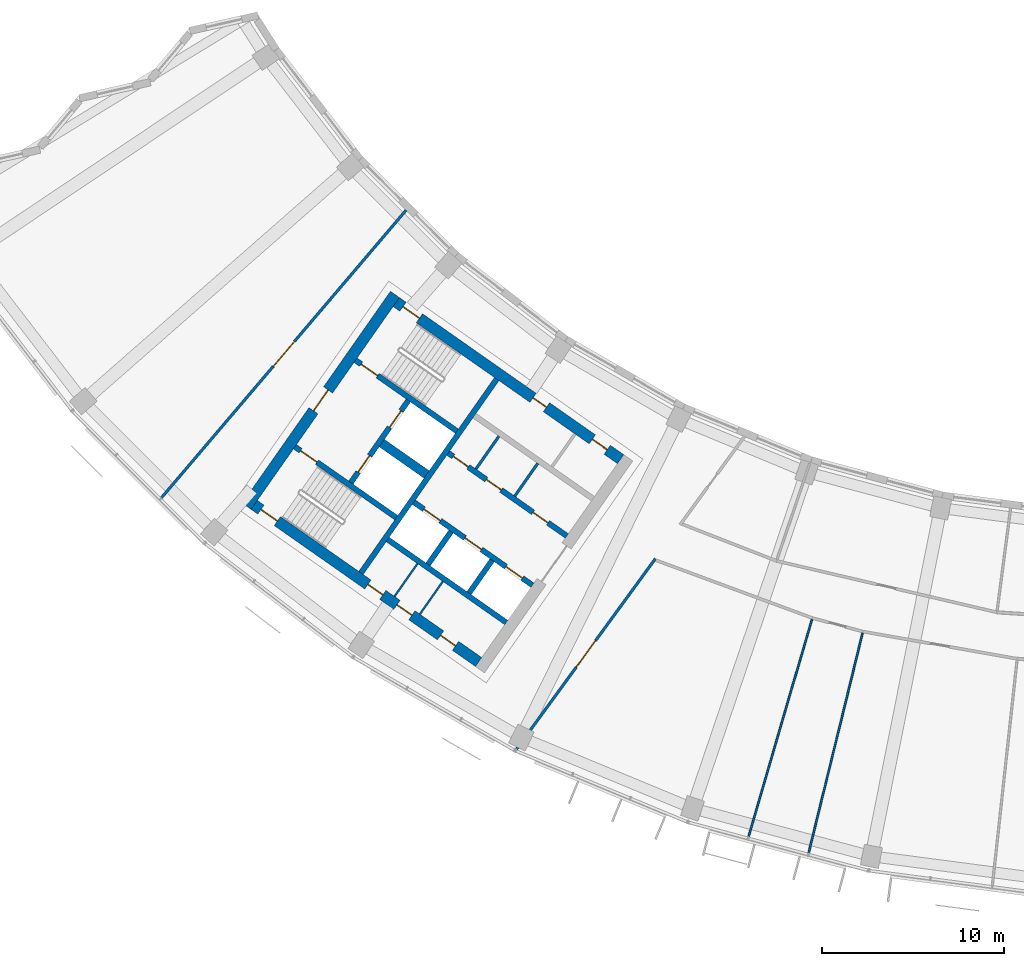
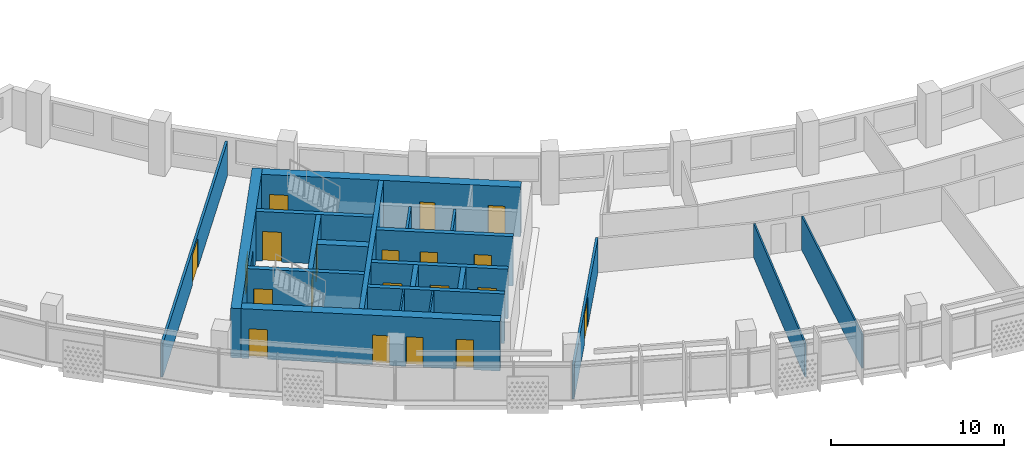
# One storey, part 3 of 27: 21 walls, 20 doors, 20 openings.
"""IFC4 building model written with IfcOpenShell, lengths in metres."""

from ifc_helpers import new_model, si_unit, direction, frame, frame_2d, origin, place, context, subcontext, project, spatial, rectangle, extrude, material, layer, layer_set, type_object, element, fill, save


model = new_model("IFC4")

# Units and contexts
model_context = context("Model", 3, precision=1e-05, world=origin(), true_north=direction((0.0, 1.0)))
body_context = subcontext(model_context, "Body", "Model", "MODEL_VIEW")
ifc_project = project(units=[si_unit("LENGTHUNIT", "METRE"), si_unit("AREAUNIT", "SQUARE_METRE"), si_unit("VOLUMEUNIT", "CUBIC_METRE"), si_unit("PLANEANGLEUNIT", "RADIAN"), si_unit("MASSUNIT", "GRAM", prefix="KILO")], contexts=[model_context])

# Site, building, storey
site_placement = place(None, origin())
site = spatial("IfcSite", under=ifc_project, at=site_placement, CompositionType="ELEMENT")
building_placement = place(site_placement, origin())
building = spatial("IfcBuilding", under=site, at=building_placement, Name="Qamariyya Broadcast Tower", CompositionType="ELEMENT")
storey_placement = place(building_placement, frame((0.0, 0.0, 237.89990234375)))
storey = spatial("IfcBuildingStorey", under=building, at=storey_placement, Name="L57", CompositionType="ELEMENT", Elevation=237.89990234375)

# Wall, opening, door
ifc_material_1 = material(Name="Concrete C60/75", Category="concrete")
ifc_layer_1 = layer(ifc_material_1, 0.60009765625)
ifc_layer_set_1 = layer_set([ifc_layer_1], Name="Core wall 600 mm Concrete C60/75")
wall_type_1 = type_object("IfcWallType", Name="Core wall 600 mm Concrete C60/75", PredefinedType="SHEAR", material=ifc_layer_set_1)
wall_1_placement = place(storey_placement, frame((-49.4833984375, -57.031494140625, 0.0), z_axis=(0.0, 0.0, 1.0), x_axis=(0.573560421458, 0.819163257805, 0.0)))
wall_1 = element("IfcWall", 1, at=wall_1_placement, inside=storey, type_object=wall_type_1, Name="k-W-L57-WH", PredefinedType="SHEAR", context=body_context, shape_type="SweptSolid", body=[
    extrude(rectangle(XDim=14.199951171875, YDim=0.60009765625, at=frame_2d((7.10009765625, 0.0))), origin(), (0.0, 0.0, 1.0), 3.5),
])
opening_1_placement = place(wall_1_placement, frame((6.39990234375, 0.0, 0.0)))
opening_1 = element("IfcOpeningElement", 2, at=opening_1_placement, cuts=wall_1, Name="Opening KD2-W1", PredefinedType="OPENING", context=body_context, shape_type="SweptSolid", body=[
    extrude(rectangle(XDim=1.39990234375, YDim=2.10009765625, at=frame_2d((0.699951171875, 1.050048828125))), frame((0.0, 0.31005859375, 0.0), z_axis=(0.0, -1.0, 0.0), x_axis=(1.0, 0.0, 0.0)), (0.0, 0.0, 1.0), 0.6201171875),
])
ifc_material_2 = material(Name="Steel fire-resisting door leaf", Category="steel")
door_type_1 = type_object("IfcDoorType", Name="Fire-fighting lobby door KD2", OperationType="DOUBLE_DOOR_SINGLE_SWING", PredefinedType="DOOR", material=ifc_material_2)
door_1_placement = place(opening_1_placement, origin())
door_1 = element("IfcDoor", 3, at=door_1_placement, inside=storey, type_object=door_type_1, Name="k-W-L57-WH-D15", OperationType="DOUBLE_DOOR_SINGLE_SWING", OverallHeight=2.10009765625, OverallWidth=1.39990234375, PredefinedType="DOOR", context=body_context, shape_type="SweptSolid", body=[
    extrude(rectangle(XDim=1.39990234375, YDim=2.10009765625, at=frame_2d((0.699951171875, 1.050048828125))), frame((0.0, 0.02490234375, 0.0), z_axis=(0.0, -1.0, 0.0), x_axis=(1.0, 0.0, 0.0)), (0.0, 0.0, 1.0), 0.050048828125),
])
fill(opening_1, door_1)

# Wall, openings, doors
wall_2_placement = place(storey_placement, frame((-28.940673828125, -54.447021484375, 0.0), z_axis=(0.0, 0.0, 1.0), x_axis=(-0.819153391756, 0.573574511963, 0.0)))
wall_2 = element("IfcWall", 4, at=wall_2_placement, inside=storey, type_object=wall_type_1, Name="k-W-L57-WI", PredefinedType="SHEAR", context=body_context, shape_type="SweptSolid", body=[
    extrude(rectangle(XDim=15.04541015625, YDim=0.60009765625, at=frame_2d((7.522705078125, 0.0))), origin(), (0.0, 0.0, 1.0), 3.5),
])
opening_2_placement = place(wall_2_placement, frame((0.89990234375, 0.0, 0.0)))
opening_2 = element("IfcOpeningElement", 5, at=opening_2_placement, cuts=wall_2, Name="Opening KD7-W1", PredefinedType="OPENING", context=body_context, shape_type="SweptSolid", body=[
    extrude(rectangle(XDim=1.0, YDim=2.10009765625, at=frame_2d((0.5, 1.050048828125))), frame((0.0, 0.31005859375, 0.0), z_axis=(0.0, -1.0, 0.0), x_axis=(1.0, 0.0, 0.0)), (0.0, 0.0, 1.0), 0.6201171875),
])
opening_3_placement = place(wall_2_placement, frame((4.97509765625, 0.0, 0.0)))
opening_3 = element("IfcOpeningElement", 6, at=opening_3_placement, cuts=wall_2, Name="Opening KD5-W1", PredefinedType="OPENING", context=body_context, shape_type="SweptSolid", body=[
    extrude(rectangle(XDim=0.89990234375, YDim=2.10009765625, at=frame_2d((0.449951171875, 1.050048828125))), frame((0.0, 0.31005859375, 0.0), z_axis=(0.0, -1.0, 0.0), x_axis=(1.0, 0.0, 0.0)), (0.0, 0.0, 1.0), 0.6201171875),
])
opening_4_placement = place(wall_2_placement, frame((13.495361328125, 0.0, 0.0)))
opening_4 = element("IfcOpeningElement", 7, at=opening_4_placement, cuts=wall_2, Name="Opening KD1-W1", PredefinedType="OPENING", context=body_context, shape_type="SweptSolid", body=[
    extrude(rectangle(XDim=1.10009765625, YDim=2.10009765625, at=frame_2d((0.550048828125, 1.050048828125))), frame((0.0, 0.31005859375, 0.0), z_axis=(0.0, -1.0, 0.0), x_axis=(1.0, 0.0, 0.0)), (0.0, 0.0, 1.0), 0.6201171875),
])
door_type_2 = type_object("IfcDoorType", Name="Accessible toilet door KD7", OperationType="SINGLE_SWING_LEFT", PredefinedType="DOOR", material=ifc_material_2)
door_2_placement = place(opening_2_placement, origin())
door_2 = element("IfcDoor", 8, at=door_2_placement, inside=storey, type_object=door_type_2, Name="k-W-L57-WI-D8", OperationType="SINGLE_SWING_LEFT", OverallHeight=2.10009765625, OverallWidth=1.0, PredefinedType="DOOR", context=body_context, shape_type="SweptSolid", body=[
    extrude(rectangle(XDim=1.0, YDim=2.10009765625, at=frame_2d((0.5, 1.050048828125))), frame((0.0, 0.02490234375, 0.0), z_axis=(0.0, -1.0, 0.0), x_axis=(1.0, 0.0, 0.0)), (0.0, 0.0, 1.0), 0.050048828125),
])
fill(opening_2, door_2)
door_type_3 = type_object("IfcDoorType", Name="Stair door KD1", OperationType="SINGLE_SWING_LEFT", PredefinedType="DOOR", material=ifc_material_2)
door_3_placement = place(opening_4_placement, origin())
door_3 = element("IfcDoor", 9, at=door_3_placement, inside=storey, type_object=door_type_3, Name="k-W-L57-WI-D16", OperationType="SINGLE_SWING_RIGHT", OverallHeight=2.10009765625, OverallWidth=1.10009765625, PredefinedType="DOOR", context=body_context, shape_type="SweptSolid", body=[
    extrude(rectangle(XDim=1.10009765625, YDim=2.10009765625, at=frame_2d((0.550048828125, 1.050048828125))), frame((0.0, 0.02490234375, 0.0), z_axis=(0.0, -1.0, 0.0), x_axis=(1.0, 0.0, 0.0)), (0.0, 0.0, 1.0), 0.050048828125),
])
fill(opening_4, door_3)
door_type_4 = type_object("IfcDoorType", Name="Toilet door KD5", OperationType="SINGLE_SWING_LEFT", PredefinedType="DOOR", material=ifc_material_2)
door_4_placement = place(opening_3_placement, origin())
door_4 = element("IfcDoor", 10, at=door_4_placement, inside=storey, type_object=door_type_4, Name="k-W-L57-WI-D9", OperationType="SINGLE_SWING_RIGHT", OverallHeight=2.10009765625, OverallWidth=0.89990234375, PredefinedType="DOOR", context=body_context, shape_type="SweptSolid", body=[
    extrude(rectangle(XDim=0.89990234375, YDim=2.10009765625, at=frame_2d((0.449951171875, 1.050048828125))), frame((0.0, 0.02490234375, 0.0), z_axis=(0.0, -1.0, 0.0), x_axis=(1.0, 0.0, 0.0)), (0.0, 0.0, 1.0), 0.050048828125),
])
fill(opening_3, door_4)

wall_3_placement = place(storey_placement, frame((-36.7412109375, -65.58740234375, 0.0), z_axis=(0.0, 0.0, 1.0), x_axis=(-0.819153391756, 0.573574511963, 0.0)))
wall_3 = element("IfcWall", 11, at=wall_3_placement, inside=storey, type_object=wall_type_1, Name="k-W-L57-WO", PredefinedType="SHEAR", context=body_context, shape_type="SweptSolid", body=[
    extrude(rectangle(XDim=15.04541015625, YDim=0.60009765625, at=frame_2d((7.522705078125, 0.0))), origin(), (0.0, 0.0, 1.0), 3.5),
])
opening_5_placement = place(wall_3_placement, frame((1.550048828125, 0.0, 0.0)))
opening_5 = element("IfcOpeningElement", 12, at=opening_5_placement, cuts=wall_3, Name="Opening KD4-W2", PredefinedType="OPENING", context=body_context, shape_type="SweptSolid", body=[
    extrude(rectangle(XDim=1.0, YDim=2.10009765625, at=frame_2d((0.5, 1.050048828125))), frame((0.0, 0.31005859375, 0.0), z_axis=(0.0, -1.0, 0.0), x_axis=(1.0, 0.0, 0.0)), (0.0, 0.0, 1.0), 0.6201171875),
])
opening_6_placement = place(wall_3_placement, frame((4.47509765625, 0.0, 0.0)))
opening_6 = element("IfcOpeningElement", 13, at=opening_6_placement, cuts=wall_3, Name="Opening KD4-W3", PredefinedType="OPENING", context=body_context, shape_type="SweptSolid", body=[
    extrude(rectangle(XDim=1.0, YDim=2.10009765625, at=frame_2d((0.5, 1.050048828125))), frame((0.0, 0.31005859375, 0.0), z_axis=(0.0, -1.0, 0.0), x_axis=(1.0, 0.0, 0.0)), (0.0, 0.0, 1.0), 0.6201171875),
])
opening_7_placement = place(wall_3_placement, frame((6.425048828125, 0.0, 0.0)))
opening_7 = element("IfcOpeningElement", 14, at=opening_7_placement, cuts=wall_3, Name="Opening KD4-W4", PredefinedType="OPENING", context=body_context, shape_type="SweptSolid", body=[
    extrude(rectangle(XDim=1.0, YDim=2.10009765625, at=frame_2d((0.5, 1.050048828125))), frame((0.0, 0.31005859375, 0.0), z_axis=(0.0, -1.0, 0.0), x_axis=(1.0, 0.0, 0.0)), (0.0, 0.0, 1.0), 0.6201171875),
])
opening_8_placement = place(wall_3_placement, frame((13.495361328125, 0.0, 0.0)))
opening_8 = element("IfcOpeningElement", 15, at=opening_8_placement, cuts=wall_3, Name="Opening KD1-W3", PredefinedType="OPENING", context=body_context, shape_type="SweptSolid", body=[
    extrude(rectangle(XDim=1.10009765625, YDim=2.10009765625, at=frame_2d((0.550048828125, 1.050048828125))), frame((0.0, 0.31005859375, 0.0), z_axis=(0.0, -1.0, 0.0), x_axis=(1.0, 0.0, 0.0)), (0.0, 0.0, 1.0), 0.6201171875),
])
door_type_5 = type_object("IfcDoorType", Name="Riser and plant door KD4", OperationType="SINGLE_SWING_LEFT", PredefinedType="DOOR", material=ifc_material_2)
door_5_placement = place(opening_5_placement, origin())
door_5 = element("IfcDoor", 16, at=door_5_placement, inside=storey, type_object=door_type_5, Name="k-W-L57-WO-D10", OperationType="SINGLE_SWING_LEFT", OverallHeight=2.10009765625, OverallWidth=1.0, PredefinedType="DOOR", context=body_context, shape_type="SweptSolid", body=[
    extrude(rectangle(XDim=1.0, YDim=2.10009765625, at=frame_2d((0.5, 1.050048828125))), frame((0.0, 0.02490234375, 0.0), z_axis=(0.0, -1.0, 0.0), x_axis=(1.0, 0.0, 0.0)), (0.0, 0.0, 1.0), 0.050048828125),
])
fill(opening_5, door_5)
door_6_placement = place(opening_6_placement, origin())
door_6 = element("IfcDoor", 17, at=door_6_placement, inside=storey, type_object=door_type_5, Name="k-W-L57-WO-D11", OperationType="SINGLE_SWING_RIGHT", OverallHeight=2.10009765625, OverallWidth=1.0, PredefinedType="DOOR", context=body_context, shape_type="SweptSolid", body=[
    extrude(rectangle(XDim=1.0, YDim=2.10009765625, at=frame_2d((0.5, 1.050048828125))), frame((0.0, 0.02490234375, 0.0), z_axis=(0.0, -1.0, 0.0), x_axis=(1.0, 0.0, 0.0)), (0.0, 0.0, 1.0), 0.050048828125),
])
fill(opening_6, door_6)
door_7_placement = place(opening_7_placement, origin())
door_7 = element("IfcDoor", 18, at=door_7_placement, inside=storey, type_object=door_type_5, Name="k-W-L57-WO-D12", OperationType="SINGLE_SWING_LEFT", OverallHeight=2.10009765625, OverallWidth=1.0, PredefinedType="DOOR", context=body_context, shape_type="SweptSolid", body=[
    extrude(rectangle(XDim=1.0, YDim=2.10009765625, at=frame_2d((0.5, 1.050048828125))), frame((0.0, 0.02490234375, 0.0), z_axis=(0.0, -1.0, 0.0), x_axis=(1.0, 0.0, 0.0)), (0.0, 0.0, 1.0), 0.050048828125),
])
fill(opening_7, door_7)
door_8_placement = place(opening_8_placement, origin())
door_8 = element("IfcDoor", 19, at=door_8_placement, inside=storey, type_object=door_type_3, Name="k-W-L57-WO-D18", OperationType="SINGLE_SWING_LEFT", OverallHeight=2.10009765625, OverallWidth=1.10009765625, PredefinedType="DOOR", context=body_context, shape_type="SweptSolid", body=[
    extrude(rectangle(XDim=1.10009765625, YDim=2.10009765625, at=frame_2d((0.550048828125, 1.050048828125))), frame((0.0, 0.02490234375, 0.0), z_axis=(0.0, -1.0, 0.0), x_axis=(1.0, 0.0, 0.0)), (0.0, 0.0, 1.0), 0.050048828125),
])
fill(opening_8, door_8)

# Wall, opening, door
ifc_material_3 = material(Name="Gypsum board partition")
ifc_layer_2 = layer(ifc_material_3, 0.14990234375)
ifc_layer_set_2 = layer_set([ifc_layer_2], Name="Corridor partition 150 EI 60")
wall_type_2 = type_object("IfcWallType", Name="Corridor partition 150 EI 60", PredefinedType="PARTITIONING", material=ifc_layer_set_2)
wall_4_placement = place(storey_placement, frame((-54.15283203125, -56.554931640625, 0.0), z_axis=(0.0, 0.0, 1.0), x_axis=(0.647962636986, 0.761672121762, 0.0)))
wall_4 = element("IfcWall", 20, at=wall_4_placement, inside=storey, type_object=wall_type_2, Name="Partition L57-001", PredefinedType="PARTITIONING", context=body_context, shape_type="SweptSolid", body=[
    extrude(rectangle(XDim=20.723388671875, YDim=0.14990234375, at=frame_2d((10.36181640625, 0.0))), origin(), (0.0, 0.0, 1.0), 2.400146484375),
])
opening_9_placement = place(wall_4_placement, frame((9.461669921875, 0.0, 0.0)))
opening_9 = element("IfcOpeningElement", 21, at=opening_9_placement, cuts=wall_4, Name="Opening L57-D13", PredefinedType="OPENING", context=body_context, shape_type="SweptSolid", body=[
    extrude(rectangle(XDim=1.800048828125, YDim=2.10009765625, at=frame_2d((0.89990234375, 1.050048828125))), frame((0.0, 0.0849609375, 0.0), z_axis=(0.0, -1.0, 0.0), x_axis=(1.0, 0.0, 0.0)), (0.0, 0.0, 1.0), 0.169921875),
])
ifc_material_4 = material(Name="Timber fire door leaf", Category="wood")
door_type_6 = type_object("IfcDoorType", Name="Double fire door 1800 x 2100 FD60", OperationType="NOTDEFINED", PredefinedType="DOOR", material=ifc_material_4)
door_9_placement = place(opening_9_placement, origin())
door_9 = element("IfcDoor", 22, at=door_9_placement, inside=storey, type_object=door_type_6, Name="Door L57-D13", OperationType="DOUBLE_DOOR_SINGLE_SWING", OverallHeight=2.10009765625, OverallWidth=1.800048828125, PredefinedType="DOOR", context=body_context, shape_type="SweptSolid", body=[
    extrude(rectangle(XDim=1.800048828125, YDim=2.10009765625, at=frame_2d((0.89990234375, 1.050048828125))), frame((0.0, 0.02490234375, 0.0), z_axis=(0.0, -1.0, 0.0), x_axis=(1.0, 0.0, 0.0)), (0.0, 0.0, 1.0), 0.050048828125),
])
fill(opening_9, door_9)

wall_5_placement = place(storey_placement, frame((-27.033447265625, -59.90966796875, 0.0), z_axis=(0.0, 0.0, 1.0), x_axis=(-0.589273648147, -0.807933516819, 0.0)))
wall_5 = element("IfcWall", 23, at=wall_5_placement, inside=storey, type_object=wall_type_2, Name="Partition L57-002", PredefinedType="PARTITIONING", context=body_context, shape_type="SweptSolid", body=[
    extrude(rectangle(XDim=12.956298828125, YDim=0.14990234375, at=frame_2d((6.47802734375, 0.0))), origin(), (0.0, 0.0, 1.0), 2.400146484375),
])
opening_10_placement = place(wall_5_placement, frame((5.578125, 0.0, 0.0)))
opening_10 = element("IfcOpeningElement", 24, at=opening_10_placement, cuts=wall_5, Name="Opening L57-D01", PredefinedType="OPENING", context=body_context, shape_type="SweptSolid", body=[
    extrude(rectangle(XDim=1.800048828125, YDim=2.10009765625, at=frame_2d((0.89990234375, 1.050048828125))), frame((0.0, 0.0849609375, 0.0), z_axis=(0.0, -1.0, 0.0), x_axis=(1.0, 0.0, 0.0)), (0.0, 0.0, 1.0), 0.169921875),
])
door_10_placement = place(opening_10_placement, origin())
door_10 = element("IfcDoor", 25, at=door_10_placement, inside=storey, type_object=door_type_6, Name="Door L57-D01", OperationType="DOUBLE_DOOR_SINGLE_SWING", OverallHeight=2.10009765625, OverallWidth=1.800048828125, PredefinedType="DOOR", context=body_context, shape_type="SweptSolid", body=[
    extrude(rectangle(XDim=1.800048828125, YDim=2.10009765625, at=frame_2d((0.89990234375, 1.050048828125))), frame((0.0, 0.02490234375, 0.0), z_axis=(0.0, -1.0, 0.0), x_axis=(1.0, 0.0, 0.0)), (0.0, 0.0, 1.0), 0.050048828125),
])
fill(opening_10, door_10)

# Walls
ifc_layer_3 = layer(ifc_material_1, 0.5)
ifc_layer_set_3 = layer_set([ifc_layer_3], Name="Fire-fighting lobby divider wall 500 mm Concrete C60/75")
wall_type_3 = type_object("IfcWallType", Name="Fire-fighting lobby divider wall 500 mm Concrete C60/75", PredefinedType="SOLIDWALL", material=ifc_layer_set_3)
wall_6_placement = place(storey_placement, frame((-39.59912109375, -55.28515625, 0.0), z_axis=(0.0, 0.0, 1.0), x_axis=(-0.819136323161, 0.573598887793, 0.0)))
element("IfcWall", 26, at=wall_6_placement, inside=storey, type_object=wall_type_3, Name="k-W-L57-FD", PredefinedType="SOLIDWALL", context=body_context, shape_type="SweptSolid", body=[
    extrude(rectangle(XDim=2.999755859375, YDim=0.5, at=frame_2d((1.5, 0.0))), origin(), (0.0, 0.0, 1.0), 3.5),
])
ifc_material_5 = material(Name="Gypsum board partition on steel studs", Category="steel")
ifc_layer_4 = layer(ifc_material_5, 0.14990234375)
ifc_layer_set_4 = layer_set([ifc_layer_4], Name="Gypsum board partition 150 mm")
wall_type_4 = type_object("IfcWallType", Name="Gypsum board partition 150 mm", PredefinedType="PARTITIONING", material=ifc_layer_set_4)
for number, where, z_axis, x_axis, name in (
    (27, (-34.757568359375, -56.477783203125, 0.0), (0.0, 0.0, 1.0), (0.573633636671, 0.819111989218, 0.0), "k-W-L57-NC360"),
    (28, (-36.88720703125, -54.986572265625, 0.0), (0.0, 0.0, 1.0), (0.573507030513, 0.819200638399, 0.0), "k-W-L57-NC620"),
):
    element("IfcWall", number, at=place(storey_placement, frame(where, z_axis=z_axis, x_axis=x_axis)), inside=storey, type_object=wall_type_4, Name=name, PredefinedType="PARTITIONING", context=body_context, shape_type="SweptSolid", body=[
        extrude(rectangle(XDim=2.199951171875, YDim=0.14990234375, at=frame_2d((1.10009765625, 0.0))), origin(), (0.0, 0.0, 1.0), 3.5),
    ])
ifc_layer_5 = layer(ifc_material_1, 0.300048828125)
ifc_layer_set_5 = layer_set([ifc_layer_5], Name="Lift shaft wall 300 mm Concrete C60/75")
wall_type_5 = type_object("IfcWallType", Name="Lift shaft wall 300 mm Concrete C60/75", PredefinedType="SOLIDWALL", material=ifc_layer_set_5)
wall_7_placement = place(storey_placement, frame((-43.204345703125, -60.69580078125, 0.0), z_axis=(0.0, 0.0, 1.0), x_axis=(0.573571992966, 0.819155155563, 0.0)))
element("IfcWall", 29, at=wall_7_placement, inside=storey, type_object=wall_type_5, Name="k-W-L57-WL", PredefinedType="SOLIDWALL", context=body_context, shape_type="SweptSolid", body=[
    extrude(rectangle(XDim=13.000244140625, YDim=0.300048828125, at=frame_2d((6.5, 0.0))), origin(), (0.0, 0.0, 1.0), 3.5),
])

# Wall, openings, doors
wall_8_placement = place(storey_placement, frame((-31.89453125, -58.66552734375, 0.0), z_axis=(0.0, 0.0, 1.0), x_axis=(-0.819166993208, 0.573555086491, 0.0)))
wall_8 = element("IfcWall", 30, at=wall_8_placement, inside=storey, type_object=wall_type_5, Name="k-W-L57-NF0", PredefinedType="SOLIDWALL", context=body_context, shape_type="SweptSolid", body=[
    extrude(rectangle(XDim=7.9501953125, YDim=0.300048828125, at=frame_2d((3.97509765625, 0.0))), origin(), (0.0, 0.0, 1.0), 3.5),
])
opening_11_placement = place(wall_8_placement, frame((1.262451171875, 0.0, 0.0)))
opening_11 = element("IfcOpeningElement", 31, at=opening_11_placement, cuts=wall_8, Name="Opening KD4-W1", PredefinedType="OPENING", context=body_context, shape_type="SweptSolid", body=[
    extrude(rectangle(XDim=1.0, YDim=2.10009765625, at=frame_2d((0.5, 1.050048828125))), frame((0.0, 0.159912109375, 0.0), z_axis=(0.0, -1.0, 0.0), x_axis=(1.0, 0.0, 0.0)), (0.0, 0.0, 1.0), 0.320068359375),
])
opening_12_placement = place(wall_8_placement, frame((4.39990234375, 0.0, 0.0)))
opening_12 = element("IfcOpeningElement", 32, at=opening_12_placement, cuts=wall_8, Name="Opening KD6-W1", PredefinedType="OPENING", context=body_context, shape_type="SweptSolid", body=[
    extrude(rectangle(XDim=1.0, YDim=2.10009765625, at=frame_2d((0.5, 1.050048828125))), frame((0.0, 0.159912109375, 0.0), z_axis=(0.0, -1.0, 0.0), x_axis=(1.0, 0.0, 0.0)), (0.0, 0.0, 1.0), 0.320068359375),
])
opening_13_placement = place(wall_8_placement, frame((6.612548828125, 0.0, 0.0)))
opening_13 = element("IfcOpeningElement", 33, at=opening_13_placement, cuts=wall_8, Name="Opening KD6-W2", PredefinedType="OPENING", context=body_context, shape_type="SweptSolid", body=[
    extrude(rectangle(XDim=1.0, YDim=2.10009765625, at=frame_2d((0.5, 1.050048828125))), frame((0.0, 0.159912109375, 0.0), z_axis=(0.0, -1.0, 0.0), x_axis=(1.0, 0.0, 0.0)), (0.0, 0.0, 1.0), 0.320068359375),
])
door_type_7 = type_object("IfcDoorType", Name="Core room door KD6", OperationType="SINGLE_SWING_LEFT", PredefinedType="DOOR", material=ifc_material_2)
door_11_placement = place(opening_12_placement, origin())
door_11 = element("IfcDoor", 34, at=door_11_placement, inside=storey, type_object=door_type_7, Name="k-W-L57-NF0-D3", OperationType="SINGLE_SWING_RIGHT", OverallHeight=2.10009765625, OverallWidth=1.0, PredefinedType="DOOR", context=body_context, shape_type="SweptSolid", body=[
    extrude(rectangle(XDim=1.0, YDim=2.10009765625, at=frame_2d((0.5, 1.050048828125))), frame((0.0, 0.02490234375, 0.0), z_axis=(0.0, -1.0, 0.0), x_axis=(1.0, 0.0, 0.0)), (0.0, 0.0, 1.0), 0.050048828125),
])
fill(opening_12, door_11)
door_12_placement = place(opening_13_placement, origin())
door_12 = element("IfcDoor", 35, at=door_12_placement, inside=storey, type_object=door_type_7, Name="k-W-L57-NF0-D4", OperationType="SINGLE_SWING_LEFT", OverallHeight=2.10009765625, OverallWidth=1.0, PredefinedType="DOOR", context=body_context, shape_type="SweptSolid", body=[
    extrude(rectangle(XDim=1.0, YDim=2.10009765625, at=frame_2d((0.5, 1.050048828125))), frame((0.0, 0.02490234375, 0.0), z_axis=(0.0, -1.0, 0.0), x_axis=(1.0, 0.0, 0.0)), (0.0, 0.0, 1.0), 0.050048828125),
])
fill(opening_13, door_12)
door_13_placement = place(opening_11_placement, origin())
door_13 = element("IfcDoor", 36, at=door_13_placement, inside=storey, type_object=door_type_5, Name="k-W-L57-NF0-D2", OperationType="SINGLE_SWING_LEFT", OverallHeight=2.10009765625, OverallWidth=1.0, PredefinedType="DOOR", context=body_context, shape_type="SweptSolid", body=[
    extrude(rectangle(XDim=1.0, YDim=2.10009765625, at=frame_2d((0.5, 1.050048828125))), frame((0.0, 0.02490234375, 0.0), z_axis=(0.0, -1.0, 0.0), x_axis=(1.0, 0.0, 0.0)), (0.0, 0.0, 1.0), 0.050048828125),
])
fill(opening_11, door_13)

wall_9_placement = place(storey_placement, frame((-33.787353515625, -61.368896484375, 0.0), z_axis=(0.0, 0.0, 1.0), x_axis=(-0.819152564888, 0.573575692858, 0.0)))
wall_9 = element("IfcWall", 37, at=wall_9_placement, inside=storey, type_object=wall_type_5, Name="k-W-L57-SF0", PredefinedType="SOLIDWALL", context=body_context, shape_type="SweptSolid", body=[
    extrude(rectangle(XDim=7.9501953125, YDim=0.300048828125, at=frame_2d((3.97509765625, 0.0))), origin(), (0.0, 0.0, 1.0), 3.5),
])
opening_14_placement = place(wall_9_placement, frame((0.675048828125, 0.0, 0.0)))
opening_14 = element("IfcOpeningElement", 38, at=opening_14_placement, cuts=wall_9, Name="Opening LD", PredefinedType="OPENING", context=body_context, shape_type="SweptSolid", body=[
    extrude(rectangle(XDim=1.10009765625, YDim=2.10009765625, at=frame_2d((0.550048828125, 1.050048828125))), frame((0.0, 0.159912109375, 0.0), z_axis=(0.0, -1.0, 0.0), x_axis=(1.0, 0.0, 0.0)), (0.0, 0.0, 1.0), 0.320068359375),
])
opening_15_placement = place(wall_9_placement, frame((3.425048828125, 0.0, 0.0)))
opening_15 = element("IfcOpeningElement", 39, at=opening_15_placement, cuts=wall_9, Name="Opening LD", PredefinedType="OPENING", context=body_context, shape_type="SweptSolid", body=[
    extrude(rectangle(XDim=1.10009765625, YDim=2.10009765625, at=frame_2d((0.550048828125, 1.050048828125))), frame((0.0, 0.159912109375, 0.0), z_axis=(0.0, -1.0, 0.0), x_axis=(1.0, 0.0, 0.0)), (0.0, 0.0, 1.0), 0.320068359375),
])
opening_16_placement = place(wall_9_placement, frame((6.175048828125, 0.0, 0.0)))
opening_16 = element("IfcOpeningElement", 40, at=opening_16_placement, cuts=wall_9, Name="Opening LD", PredefinedType="OPENING", context=body_context, shape_type="SweptSolid", body=[
    extrude(rectangle(XDim=1.10009765625, YDim=2.10009765625, at=frame_2d((0.550048828125, 1.050048828125))), frame((0.0, 0.159912109375, 0.0), z_axis=(0.0, -1.0, 0.0), x_axis=(1.0, 0.0, 0.0)), (0.0, 0.0, 1.0), 0.320068359375),
])
door_type_8 = type_object("IfcDoorType", Name="Lift landing door LD", OperationType="DOUBLE_DOOR_SLIDING", PredefinedType="DOOR", material=ifc_material_2)
door_14_placement = place(opening_14_placement, origin())
door_14 = element("IfcDoor", 41, at=door_14_placement, inside=storey, type_object=door_type_8, Name="k-W-L57-SF0-D5", OperationType="DOUBLE_DOOR_SLIDING", OverallHeight=2.10009765625, OverallWidth=1.10009765625, PredefinedType="DOOR", context=body_context, shape_type="SweptSolid", body=[
    extrude(rectangle(XDim=1.10009765625, YDim=2.10009765625, at=frame_2d((0.550048828125, 1.050048828125))), frame((0.0, 0.02490234375, 0.0), z_axis=(0.0, -1.0, 0.0), x_axis=(1.0, 0.0, 0.0)), (0.0, 0.0, 1.0), 0.050048828125),
])
fill(opening_14, door_14)
door_15_placement = place(opening_15_placement, origin())
door_15 = element("IfcDoor", 42, at=door_15_placement, inside=storey, type_object=door_type_8, Name="k-W-L57-SF0-D6", OperationType="DOUBLE_DOOR_SLIDING", OverallHeight=2.10009765625, OverallWidth=1.10009765625, PredefinedType="DOOR", context=body_context, shape_type="SweptSolid", body=[
    extrude(rectangle(XDim=1.10009765625, YDim=2.10009765625, at=frame_2d((0.550048828125, 1.050048828125))), frame((0.0, 0.02490234375, 0.0), z_axis=(0.0, -1.0, 0.0), x_axis=(1.0, 0.0, 0.0)), (0.0, 0.0, 1.0), 0.050048828125),
])
fill(opening_15, door_15)
door_16_placement = place(opening_16_placement, origin())
door_16 = element("IfcDoor", 43, at=door_16_placement, inside=storey, type_object=door_type_8, Name="k-W-L57-SF0-D7", OperationType="DOUBLE_DOOR_SLIDING", OverallHeight=2.10009765625, OverallWidth=1.10009765625, PredefinedType="DOOR", context=body_context, shape_type="SweptSolid", body=[
    extrude(rectangle(XDim=1.10009765625, YDim=2.10009765625, at=frame_2d((0.550048828125, 1.050048828125))), frame((0.0, 0.02490234375, 0.0), z_axis=(0.0, -1.0, 0.0), x_axis=(1.0, 0.0, 0.0)), (0.0, 0.0, 1.0), 0.050048828125),
])
fill(opening_16, door_16)

# Walls
wall_10_placement = place(storey_placement, frame((-35.22119140625, -63.41650390625, 0.0), z_axis=(0.0, 0.0, 1.0), x_axis=(-0.819166993208, 0.573555086491, 0.0)))
element("IfcWall", 44, at=wall_10_placement, inside=storey, type_object=wall_type_5, Name="k-W-L57-SB0", PredefinedType="SOLIDWALL", context=body_context, shape_type="SweptSolid", body=[
    extrude(rectangle(XDim=7.9501953125, YDim=0.300048828125, at=frame_2d((3.97509765625, 0.0))), origin(), (0.0, 0.0, 1.0), 3.5),
])
wall_11_placement = place(storey_placement, frame((-36.003173828125, -60.000244140625, 0.0), z_axis=(0.0, 0.0, 1.0), x_axis=(-0.573581496053, -0.819148501424, 0.0)))
element("IfcWall", 45, at=wall_11_placement, inside=storey, type_object=wall_type_5, Name="k-W-L57-SD0", PredefinedType="SOLIDWALL", context=body_context, shape_type="SweptSolid", body=[
    extrude(rectangle(XDim=2.2001953125, YDim=0.300048828125, at=frame_2d((1.10009765625, 0.0))), origin(), (0.0, 0.0, 1.0), 3.5),
])
wall_12_placement = place(storey_placement, frame((-38.255859375, -58.423095703125, 0.0), z_axis=(0.0, 0.0, 1.0), x_axis=(-0.573633636671, -0.819111989218, 0.0)))
element("IfcWall", 46, at=wall_12_placement, inside=storey, type_object=wall_type_5, Name="k-W-L57-SD1", PredefinedType="SOLIDWALL", context=body_context, shape_type="SweptSolid", body=[
    extrude(rectangle(XDim=2.199951171875, YDim=0.300048828125, at=frame_2d((1.10009765625, 0.0))), origin(), (0.0, 0.0, 1.0), 3.5),
])

# Wall, opening, door
wall_13_placement = place(storey_placement, frame((-37.935546875, -52.90966796875, 0.0), z_axis=(0.0, 0.0, 1.0), x_axis=(-0.819147518138, 0.57358290031, 0.0)))
wall_13 = element("IfcWall", 47, at=wall_13_placement, inside=storey, type_object=wall_type_5, Name="k-W-L57-NW", PredefinedType="SOLIDWALL", context=body_context, shape_type="SweptSolid", body=[
    extrude(rectangle(XDim=6.79541015625, YDim=0.300048828125, at=frame_2d((3.397705078125, 0.0))), origin(), (0.0, 0.0, 1.0), 3.5),
])
opening_17_placement = place(wall_13_placement, frame((5.3203125, 0.0, 0.0)))
opening_17 = element("IfcOpeningElement", 48, at=opening_17_placement, cuts=wall_13, Name="Opening KD1-W2", PredefinedType="OPENING", context=body_context, shape_type="SweptSolid", body=[
    extrude(rectangle(XDim=1.10009765625, YDim=2.10009765625, at=frame_2d((0.550048828125, 1.050048828125))), frame((0.0, 0.159912109375, 0.0), z_axis=(0.0, -1.0, 0.0), x_axis=(1.0, 0.0, 0.0)), (0.0, 0.0, 1.0), 0.320068359375),
])
door_17_placement = place(opening_17_placement, origin())
door_17 = element("IfcDoor", 49, at=door_17_placement, inside=storey, type_object=door_type_3, Name="k-W-L57-NW-D17", OperationType="SINGLE_SWING_RIGHT", OverallHeight=2.10009765625, OverallWidth=1.10009765625, PredefinedType="DOOR", context=body_context, shape_type="SweptSolid", body=[
    extrude(rectangle(XDim=1.10009765625, YDim=2.10009765625, at=frame_2d((0.550048828125, 1.050048828125))), frame((0.0, 0.02490234375, 0.0), z_axis=(0.0, -1.0, 0.0), x_axis=(1.0, 0.0, 0.0)), (0.0, 0.0, 1.0), 0.050048828125),
])
fill(opening_17, door_17)

wall_14_placement = place(storey_placement, frame((-41.262451171875, -57.66064453125, 0.0), z_axis=(0.0, 0.0, 1.0), x_axis=(-0.819164398642, 0.573558792102, 0.0)))
wall_14 = element("IfcWall", 50, at=wall_14_placement, inside=storey, type_object=wall_type_5, Name="k-W-L57-SW", PredefinedType="SOLIDWALL", context=body_context, shape_type="SweptSolid", body=[
    extrude(rectangle(XDim=6.795166015625, YDim=0.300048828125, at=frame_2d((3.3974609375, 0.0))), origin(), (0.0, 0.0, 1.0), 3.5),
])
opening_18_placement = place(wall_14_placement, frame((5.3203125, 0.0, 0.0)))
opening_18 = element("IfcOpeningElement", 51, at=opening_18_placement, cuts=wall_14, Name="Opening KD1-W4", PredefinedType="OPENING", context=body_context, shape_type="SweptSolid", body=[
    extrude(rectangle(XDim=1.10009765625, YDim=2.10009765625, at=frame_2d((0.550048828125, 1.050048828125))), frame((0.0, 0.159912109375, 0.0), z_axis=(0.0, -1.0, 0.0), x_axis=(1.0, 0.0, 0.0)), (0.0, 0.0, 1.0), 0.320068359375),
])
door_18_placement = place(opening_18_placement, origin())
door_18 = element("IfcDoor", 52, at=door_18_placement, inside=storey, type_object=door_type_3, Name="k-W-L57-SW-D19", OperationType="SINGLE_SWING_RIGHT", OverallHeight=2.10009765625, OverallWidth=1.10009765625, PredefinedType="DOOR", context=body_context, shape_type="SweptSolid", body=[
    extrude(rectangle(XDim=1.10009765625, YDim=2.10009765625, at=frame_2d((0.550048828125, 1.050048828125))), frame((0.0, 0.02490234375, 0.0), z_axis=(0.0, -1.0, 0.0), x_axis=(1.0, 0.0, 0.0)), (0.0, 0.0, 1.0), 0.050048828125),
])
fill(opening_18, door_18)

# Wall, openings, doors
wall_15_placement = place(storey_placement, frame((-43.756591796875, -55.731201171875, 0.0), z_axis=(0.0, 0.0, 1.0), x_axis=(0.573536818435, 0.819179783625, 0.0)))
wall_15 = element("IfcWall", 53, at=wall_15_placement, inside=storey, type_object=wall_type_5, Name="k-W-L57-FF", PredefinedType="SOLIDWALL", context=body_context, shape_type="SweptSolid", body=[
    extrude(rectangle(XDim=5.500244140625, YDim=0.300048828125, at=frame_2d((2.75, 0.0))), origin(), (0.0, 0.0, 1.0), 3.5),
])
opening_19_placement = place(wall_15_placement, frame((0.699951171875, 0.0, 0.0)))
opening_19 = element("IfcOpeningElement", 54, at=opening_19_placement, cuts=wall_15, Name="Opening LD", PredefinedType="OPENING", context=body_context, shape_type="SweptSolid", body=[
    extrude(rectangle(XDim=1.10009765625, YDim=2.10009765625, at=frame_2d((0.550048828125, 1.050048828125))), frame((0.0, 0.159912109375, 0.0), z_axis=(0.0, -1.0, 0.0), x_axis=(1.0, 0.0, 0.0)), (0.0, 0.0, 1.0), 0.320068359375),
])
opening_20_placement = place(wall_15_placement, frame((3.699951171875, 0.0, 0.0)))
opening_20 = element("IfcOpeningElement", 55, at=opening_20_placement, cuts=wall_15, Name="Opening LD", PredefinedType="OPENING", context=body_context, shape_type="SweptSolid", body=[
    extrude(rectangle(XDim=1.10009765625, YDim=2.10009765625, at=frame_2d((0.550048828125, 1.050048828125))), frame((0.0, 0.159912109375, 0.0), z_axis=(0.0, -1.0, 0.0), x_axis=(1.0, 0.0, 0.0)), (0.0, 0.0, 1.0), 0.320068359375),
])
door_19_placement = place(opening_19_placement, origin())
door_19 = element("IfcDoor", 56, at=door_19_placement, inside=storey, type_object=door_type_8, Name="k-W-L57-FF-D13", OperationType="DOUBLE_DOOR_SLIDING", OverallHeight=2.10009765625, OverallWidth=1.10009765625, PredefinedType="DOOR", context=body_context, shape_type="SweptSolid", body=[
    extrude(rectangle(XDim=1.10009765625, YDim=2.10009765625, at=frame_2d((0.550048828125, 1.050048828125))), frame((0.0, 0.02490234375, 0.0), z_axis=(0.0, -1.0, 0.0), x_axis=(1.0, 0.0, 0.0)), (0.0, 0.0, 1.0), 0.050048828125),
])
fill(opening_19, door_19)
door_20_placement = place(opening_20_placement, origin())
door_20 = element("IfcDoor", 57, at=door_20_placement, inside=storey, type_object=door_type_8, Name="k-W-L57-FF-D14", OperationType="DOUBLE_DOOR_SLIDING", OverallHeight=2.10009765625, OverallWidth=1.10009765625, PredefinedType="DOOR", context=body_context, shape_type="SweptSolid", body=[
    extrude(rectangle(XDim=1.10009765625, YDim=2.10009765625, at=frame_2d((0.550048828125, 1.050048828125))), frame((0.0, 0.02490234375, 0.0), z_axis=(0.0, -1.0, 0.0), x_axis=(1.0, 0.0, 0.0)), (0.0, 0.0, 1.0), 0.050048828125),
])
fill(opening_20, door_20)

# Walls
ifc_layer_6 = layer(ifc_material_3, 0.10009765625)
ifc_layer_set_6 = layer_set([ifc_layer_6], Name="Partition 100")
wall_type_6 = type_object("IfcWallType", Name="Partition 100", PredefinedType="PARTITIONING", material=ifc_layer_set_6)
wall_16_placement = place(storey_placement, frame((-21.912841796875, -75.171630859375, 0.0), z_axis=(0.0, 0.0, 1.0), x_axis=(0.27985286912, 0.96004290094, 0.0)))
element("IfcWall", 58, at=wall_16_placement, inside=storey, type_object=wall_type_6, Name="Partition L57-005", PredefinedType="PARTITIONING", context=body_context, shape_type="SweptSolid", body=[
    extrude(rectangle(XDim=12.425537109375, YDim=0.10009765625, at=frame_2d((6.212890625, 0.0))), origin(), (0.0, 0.0, 1.0), 2.400146484375),
])
wall_17_placement = place(storey_placement, frame((-18.60888671875, -76.056884765625, 0.0), z_axis=(0.0, 0.0, 1.0), x_axis=(0.237668980718, 0.971346207901, 0.0)))
element("IfcWall", 59, at=wall_17_placement, inside=storey, type_object=wall_type_6, Name="Partition L57-008", PredefinedType="PARTITIONING", context=body_context, shape_type="SweptSolid", body=[
    extrude(rectangle(XDim=12.42529296875, YDim=0.10009765625, at=frame_2d((6.212646484375, 0.0))), origin(), (0.0, 0.0, 1.0), 2.400146484375),
])
ifc_material_6 = material(Name="Fire-rated gypsum shaft liner on steel studs", Category="steel")
ifc_layer_7 = layer(ifc_material_6, 0.10009765625)
ifc_layer_set_7 = layer_set([ifc_layer_7], Name="Riser wall 100 mm")
wall_type_7 = type_object("IfcWallType", Name="Riser wall 100 mm", PredefinedType="PLUMBINGWALL", material=ifc_layer_set_7)
for number, where, z_axis, x_axis, name in (
    (60, (-38.706787109375, -61.1591796875, 0.0), (0.0, 0.0, 1.0), (-0.573633636671, -0.819111989218, 0.0), "k-W-L57-SP415"),
    (61, (-40.099365234375, -60.18408203125, 0.0), (0.0, 0.0, 1.0), (-0.573633636671, -0.819111989218, 0.0), "k-W-L57-SP585"),
):
    element("IfcWall", number, at=place(storey_placement, frame(where, z_axis=z_axis, x_axis=x_axis)), inside=storey, type_object=wall_type_7, Name=name, PredefinedType="PLUMBINGWALL", context=body_context, shape_type="SweptSolid", body=[
        extrude(rectangle(XDim=2.199951171875, YDim=0.10009765625, at=frame_2d((1.10009765625, 0.0))), origin(), (0.0, 0.0, 1.0), 3.5),
    ])

save(model, "model.ifc")
